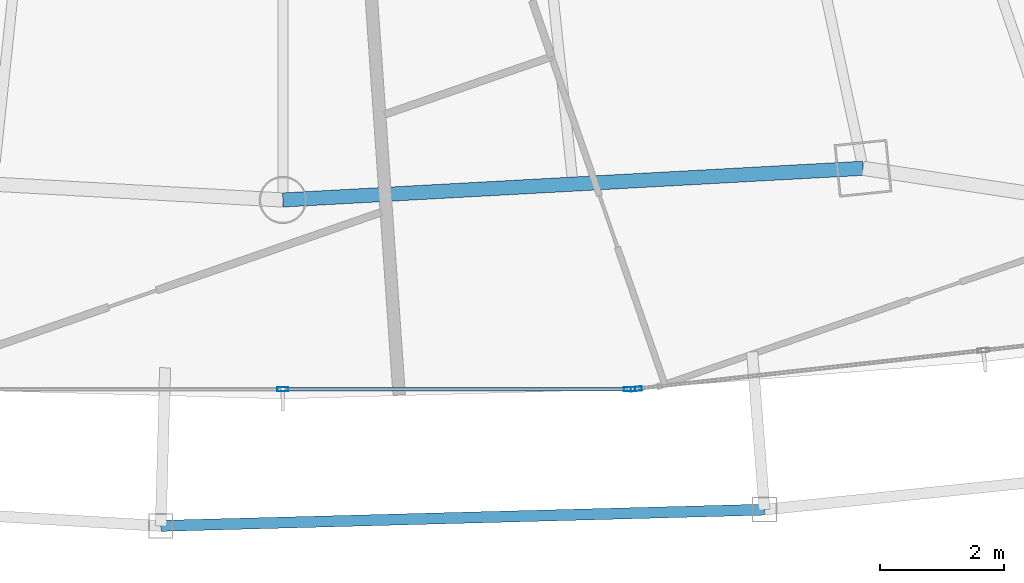
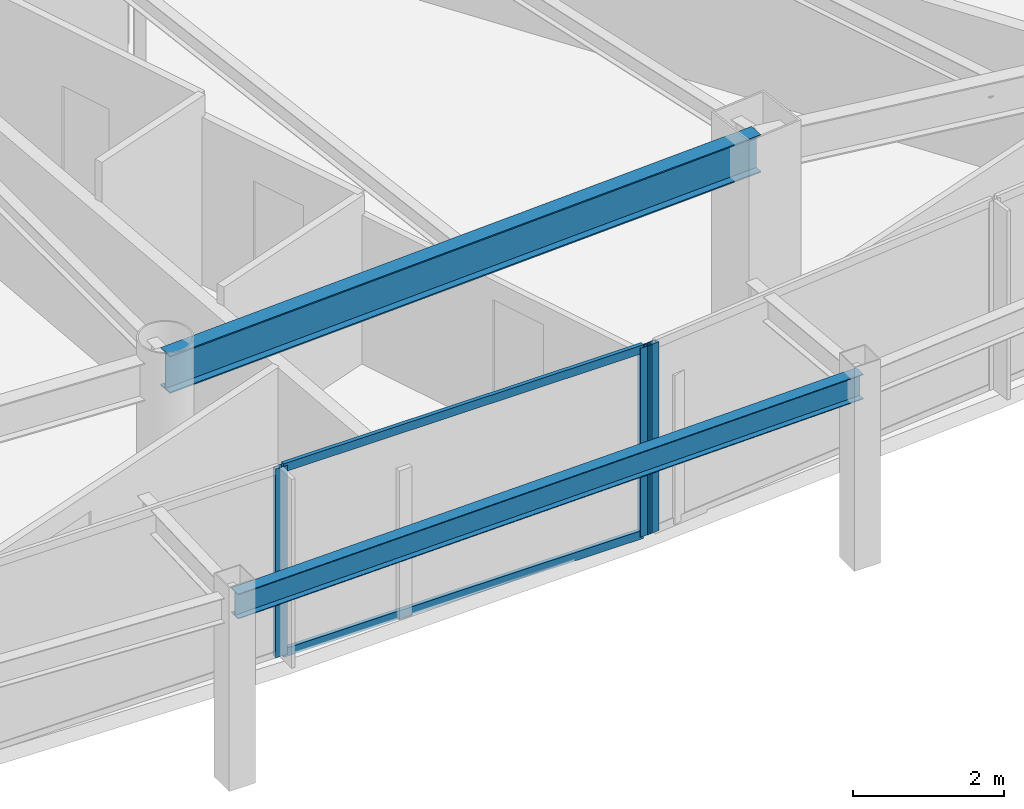
# One storey, part 8 of 29: 5 members, 2 beams, 2 elements without a shape of their own.
"""IFC4 building model written with IfcOpenShell, lengths in metres."""

from ifc_helpers import new_model, si_unit, direction, frame, origin, origin_2d, place, context, subcontext, project, spatial, hollow_rectangle, i_section, extrude, material, layer, layer_set, material_profile, profile_set, type_object, element, aggregate, save


model = new_model("IFC4")

# Units and contexts
model_context = context("Model", 3, precision=1e-05, world=origin(), true_north=direction((0.0, 1.0)))
body_context = subcontext(model_context, "Body", "Model", "MODEL_VIEW")
ifc_project = project(units=[si_unit("LENGTHUNIT", "METRE"), si_unit("AREAUNIT", "SQUARE_METRE"), si_unit("VOLUMEUNIT", "CUBIC_METRE"), si_unit("PLANEANGLEUNIT", "RADIAN"), si_unit("MASSUNIT", "GRAM", prefix="KILO")], contexts=[model_context])

# Site, building, storey
site_placement = place(None, origin())
site = spatial("IfcSite", under=ifc_project, at=site_placement, CompositionType="ELEMENT")
building_placement = place(site_placement, origin())
building = spatial("IfcBuilding", under=site, at=building_placement, Name="Orvanel Arch Residences", CompositionType="ELEMENT")
storey_placement = place(building_placement, frame((0.0, 0.0, 163.85009765625)))
storey = spatial("IfcBuildingStorey", under=building, at=storey_placement, Name="L46", CompositionType="ELEMENT", Elevation=163.85009765625)

# Curtain wall, members
ifc_material_1 = material(Name="Bronze-anodised aluminium AA6063-T6", Category="aluminium")
ifc_layer = layer(ifc_material_1, 0.179931640625)
ifc_layer_set = layer_set([ifc_layer], Name="Bronze-anodised aluminium AA6063-T6")
curtain_wall_type = type_object("IfcCurtainWallType", Name="CW3-MID-SYS", PredefinedType="NOTDEFINED", material=ifc_layer_set)
curtain_wall_1_placement = place(storey_placement, origin())
curtain_wall_1 = element("IfcCurtainWall", 1, at=curtain_wall_1_placement, inside=storey, type_object=curtain_wall_type, Name="L46 CW3-MID-SYS Unitised Curtain Wall", PredefinedType="NOTDEFINED")
ifc_material_profile_1 = material_profile(ifc_material_1, hollow_rectangle(XDim=0.070068359375, YDim=0.179931640625, WallThickness=0.00439453125, at=origin_2d()), Name="ALU180x70x4.5")
ifc_profile_set_1 = profile_set([ifc_material_profile_1], Name="Bronze-anodised aluminium AA6063-T6")
member_type_1 = type_object("IfcMemberType", Name="MUL-180x70", PredefinedType="MULLION", material=ifc_profile_set_1)
member_1_placement = place(storey_placement, frame((33.0, 3.79296875, 0.0), z_axis=(0.0, 0.0, 1.0), x_axis=(0.0, 1.0, 0.0)))
member_1 = element("IfcMember", 2, at=member_1_placement, type_object=member_type_1, Name="CW-S3 mullion 2", PredefinedType="MULLION", context=body_context, shape_type="SweptSolid", body=[
    extrude(hollow_rectangle(XDim=0.070068359375, YDim=0.179931640625, WallThickness=0.00439453125, at=origin_2d()), origin(), (0.0, 0.0, 1.0), 3.059814453125),
])
member_2_placement = place(storey_placement, frame((38.5859375, 3.79296875, 0.0), z_axis=(0.0, 0.0, 1.0), x_axis=(0.0, 1.0, 0.0)))
member_2 = element("IfcMember", 3, at=member_2_placement, type_object=member_type_1, Name="CW-S3 mullion 3", PredefinedType="MULLION", context=body_context, shape_type="SweptSolid", body=[
    extrude(hollow_rectangle(XDim=0.070068359375, YDim=0.179931640625, WallThickness=0.00439453125, at=origin_2d()), origin(), (0.0, 0.0, 1.0), 3.059814453125),
])

# Curtain wall, member
curtain_wall_2_placement = place(storey_placement, origin())
curtain_wall_2 = element("IfcCurtainWall", 4, at=curtain_wall_2_placement, inside=storey, type_object=curtain_wall_type, Name="L46 CW3-MID-SYS Unitised Curtain Wall", PredefinedType="NOTDEFINED")
member_3_placement = place(storey_placement, frame((38.69580078125, 3.798828125, 0.0), z_axis=(0.0, 0.0, 1.0), x_axis=(-0.11060596361, 0.993864337228, 0.0)))
member_3 = element("IfcMember", 5, at=member_3_placement, type_object=member_type_1, Name="CW-S3 mullion 1", PredefinedType="MULLION", context=body_context, shape_type="SweptSolid", body=[
    extrude(hollow_rectangle(XDim=0.070068359375, YDim=0.179931640625, WallThickness=0.00439453125, at=origin_2d()), origin(), (0.0, 0.0, 1.0), 3.059814453125),
])
aggregate(curtain_wall_2, [member_3])

# Beams
ifc_material_2 = material(Name="Structural steel AS/NZS 3679.1 Grade 300 (300 MPa)", Category="steel")
ifc_material_profile_2 = material_profile(ifc_material_2, i_section(OverallWidth=0.177978515625, OverallDepth=0.406005859375, WebThickness=0.0078125, FlangeThickness=0.0126953125, at=origin_2d()), Name="410UB59.7")
ifc_profile_set_2 = profile_set([ifc_material_profile_2], Name="Structural steel AS/NZS 3679.1 Grade 300 (300 MPa)")
beam_type_1 = type_object("IfcBeamType", Name="OB-410UB-EXT", PredefinedType="SPANDREL", material=ifc_profile_set_2)
beam_1_placement = place(storey_placement, frame((31.031005859375, 1.591064453125, 2.85693359375), z_axis=(0.999637838345, 0.026910818419, 0.0), x_axis=(-0.026910818419, 0.999637838345, 0.0)))
element("IfcBeam", 6, at=beam_1_placement, inside=storey, type_object=beam_type_1, Name="L46 Outer Perimeter Floor Ring Beam 06", PredefinedType="SPANDREL", context=body_context, shape_type="SweptSolid", body=[
    extrude(i_section(OverallWidth=0.177978515625, OverallDepth=0.406005859375, WebThickness=0.0078125, FlangeThickness=0.0126953125, at=origin_2d()), origin(), (0.0, 0.0, 1.0), 9.734375),
])
ifc_material_profile_3 = material_profile(ifc_material_2, i_section(OverallWidth=0.22900390625, OverallDepth=0.612060546875, WebThickness=0.011962890625, FlangeThickness=0.01953125, at=origin_2d()), Name="610UB125")
ifc_profile_set_3 = profile_set([ifc_material_profile_3], Name="Structural steel AS/NZS 3679.1 Grade 300 (300 MPa)")
beam_type_2 = type_object("IfcBeamType", Name="SP-610UB", PredefinedType="SPANDREL", material=ifc_profile_set_3)
beam_2_placement = place(storey_placement, frame((33.0, 6.843994140625, 2.75390625), z_axis=(0.998510315598, 0.054563262768, 0.0), x_axis=(-0.054563262768, 0.998510315598, 0.0)))
element("IfcBeam", 7, at=beam_2_placement, inside=storey, type_object=beam_type_2, Name="L46 Perimeter Spandrel Beam 06", PredefinedType="SPANDREL", context=body_context, shape_type="SweptSolid", body=[
    extrude(i_section(OverallWidth=0.22900390625, OverallDepth=0.612060546875, WebThickness=0.011962890625, FlangeThickness=0.01953125, at=origin_2d()), origin(), (0.0, 0.0, 1.0), 9.364990234375),
])

# Member
ifc_material_profile_4 = material_profile(ifc_material_1, hollow_rectangle(XDim=0.06005859375, YDim=0.135009765625, WallThickness=0.00390625, at=origin_2d()), Name="ALU135x60x4")
ifc_profile_set_4 = profile_set([ifc_material_profile_4], Name="Bronze-anodised aluminium AA6063-T6")
member_type_2 = type_object("IfcMemberType", Name="TRN-135x60", PredefinedType="USERDEFINED", material=ifc_profile_set_4)
member_4_placement = place(storey_placement, frame((33.034912109375, 3.79296875, 0.02978515625), z_axis=(1.0, 0.0, 0.0), x_axis=(0.0, 1.0, 0.0)))
member_4 = element("IfcMember", 8, at=member_4_placement, type_object=member_type_2, Name="CW-S3 transom 2.1", ObjectType="TRANSOM", PredefinedType="USERDEFINED", context=body_context, shape_type="SweptSolid", body=[
    extrude(hollow_rectangle(XDim=0.06005859375, YDim=0.135009765625, WallThickness=0.00390625, at=origin_2d()), origin(), (0.0, 0.0, 1.0), 5.51611328125),
])

member_5_placement = place(storey_placement, frame((33.034912109375, 3.79296875, 3.02978515625), z_axis=(1.0, 0.0, 0.0), x_axis=(0.0, 1.0, 0.0)))
member_5 = element("IfcMember", 9, at=member_5_placement, type_object=member_type_2, Name="CW-S3 transom 2.2", ObjectType="TRANSOM", PredefinedType="USERDEFINED", context=body_context, shape_type="SweptSolid", body=[
    extrude(hollow_rectangle(XDim=0.06005859375, YDim=0.135009765625, WallThickness=0.00390625, at=origin_2d()), origin(), (0.0, 0.0, 1.0), 5.51611328125),
])

aggregate(curtain_wall_1, [member_1, member_2, member_4, member_5])

save(model, "model.ifc")
